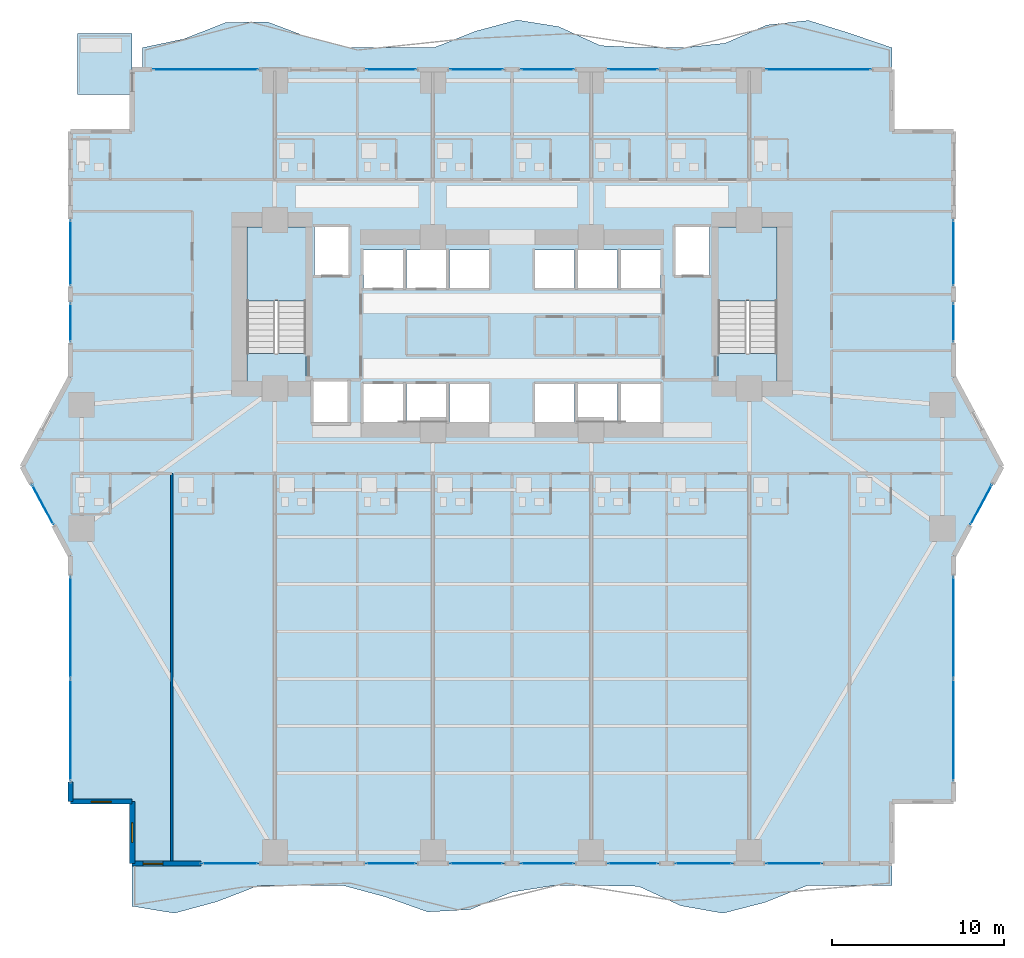
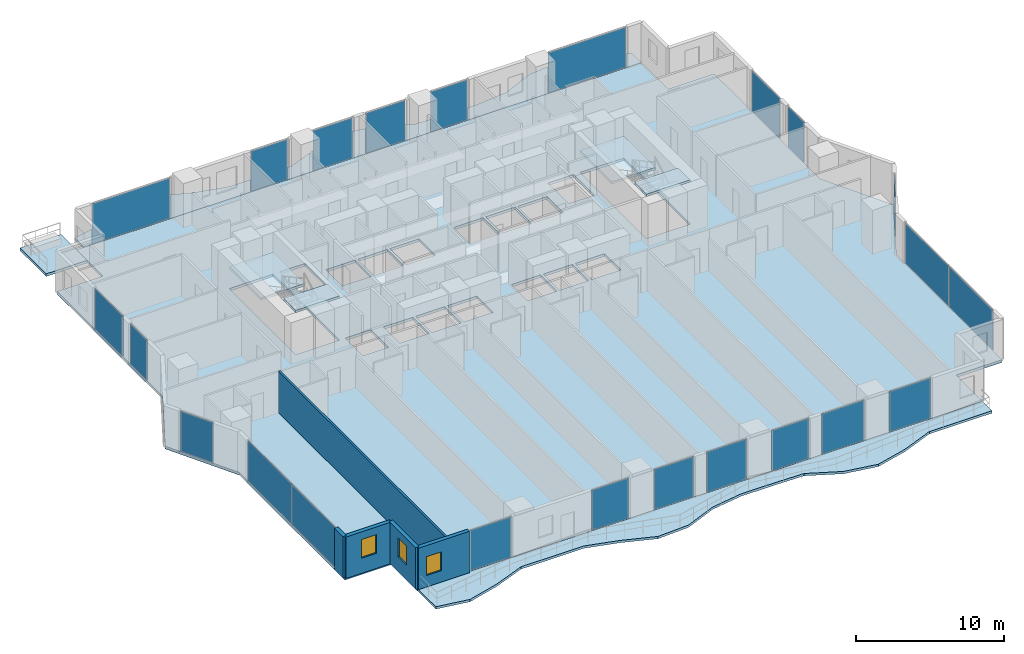
# One storey, part 18 of 29: 23 plates, 8 slabs, 5 walls, 3 windows, 3 openings, 23 elements without a shape of their own.
"""IFC4 building model written with IfcOpenShell, lengths in metres."""

from ifc_helpers import new_model, si_unit, direction, frame, frame_2d, origin, origin_2d, place, context, subcontext, project, spatial, polyline, rectangle, outline, extrude, material, layer, layer_set, type_object, element, fill, aggregate, save


model = new_model("IFC4")

# Units and contexts
model_context = context("Model", 3, precision=1e-05, world=origin(), true_north=direction((0.0, 1.0)))
body_context = subcontext(model_context, "Body", "Model", "MODEL_VIEW")
ifc_project = project(units=[si_unit("LENGTHUNIT", "METRE"), si_unit("AREAUNIT", "SQUARE_METRE"), si_unit("VOLUMEUNIT", "CUBIC_METRE"), si_unit("PLANEANGLEUNIT", "RADIAN"), si_unit("MASSUNIT", "GRAM", prefix="KILO")], contexts=[model_context])

# Site, building, storey
site_placement = place(None, origin())
site = spatial("IfcSite", under=ifc_project, at=site_placement, CompositionType="ELEMENT")
building_placement = place(site_placement, origin())
building = spatial("IfcBuilding", under=site, at=building_placement, Name="Zuhayl Quay Hotel", CompositionType="ELEMENT")
storey_placement = place(building_placement, frame((0.0, 0.0, 67.75)))
storey = spatial("IfcBuildingStorey", under=building, at=storey_placement, Name="L16", CompositionType="ELEMENT", Elevation=67.75)

# Curtain wall, plates
ifc_material_1 = material(Name="Anodised Aluminium 6063-T6", Category="aluminium")
ifc_layer_1 = layer(ifc_material_1, 0.18994140625, Name="Anodised Aluminium 6063-T6", Category="aluminium")
ifc_layer_set_1 = layer_set([ifc_layer_1], Name="Anodised Aluminium 6063-T6")
curtain_wall_type = type_object("IfcCurtainWallType", Name="CW_SYS_Z1", PredefinedType="USERDEFINED", material=ifc_layer_set_1)
curtain_wall_1_placement = place(storey_placement, origin())
curtain_wall_1 = element("IfcCurtainWall", 1, at=curtain_wall_1_placement, inside=storey, type_object=curtain_wall_type, Name="L16 Curtain Wall ENV_L16_E02_CW1", ObjectType="UNITISED CURTAIN WALL", PredefinedType="USERDEFINED")
ifc_material_2 = material(Name="Dark Ceramic-Fritted Solar Glass", Category="glass")
ifc_layer_2 = layer(ifc_material_2, 0.035888671875, Name="Dark Ceramic-Fritted Solar Glass", Category="glass")
ifc_layer_set_2 = layer_set([ifc_layer_2], Name="Dark Ceramic-Fritted Solar Glass")
plate_type = type_object("IfcPlateType", Name="PN_DARK_FRIT_Z1", PredefinedType="CURTAIN_PANEL", material=ifc_layer_set_2)
plate_1_placement = place(storey_placement, frame((-25.699951171875, -15.331298828125, 0.06005859375), z_axis=(0.0, 0.0, 1.0), x_axis=(0.0, 1.0, 0.0)))
plate_1 = element("IfcPlate", 2, at=plate_1_placement, type_object=plate_type, Name="CW-Z1 panel 1.1", PredefinedType="CURTAIN_PANEL", context=body_context, shape_type="SweptSolid", body=[
    extrude(rectangle(XDim=5.887451171875, YDim=0.035888671875, at=origin_2d()), origin(), (0.0, 0.0, 1.0), 3.31005859375),
])
plate_2_placement = place(storey_placement, frame((-25.699951171875, -9.36865234375, 0.06005859375), z_axis=(0.0, 0.0, 1.0), x_axis=(0.0, 1.0, 0.0)))
plate_2 = element("IfcPlate", 3, at=plate_2_placement, type_object=plate_type, Name="CW-Z1 panel 2.1", PredefinedType="CURTAIN_PANEL", context=body_context, shape_type="SweptSolid", body=[
    extrude(rectangle(XDim=5.887451171875, YDim=0.035888671875, at=origin_2d()), origin(), (0.0, 0.0, 1.0), 3.31005859375),
])
aggregate(curtain_wall_1, [plate_1, plate_2])

# Curtain wall, plate
curtain_wall_2_placement = place(storey_placement, origin())
curtain_wall_2 = element("IfcCurtainWall", 4, at=curtain_wall_2_placement, inside=storey, type_object=curtain_wall_type, Name="L16 Curtain Wall ENV_L16_E03_CW1", ObjectType="UNITISED CURTAIN WALL", PredefinedType="USERDEFINED")
plate_3_placement = place(storey_placement, frame((-27.306396484375, -2.216796875, 0.06005859375), z_axis=(0.0, 0.0, 1.0), x_axis=(-0.474091102632, 0.880475795468, 0.0)))
plate_3 = element("IfcPlate", 5, at=plate_3_placement, type_object=plate_type, Name="CW-Z1 panel 1.1", PredefinedType="CURTAIN_PANEL", context=body_context, shape_type="SweptSolid", body=[
    extrude(rectangle(XDim=2.58544921875, YDim=0.035888671875, at=origin_2d()), origin(), (0.0, 0.0, 1.0), 3.31005859375),
])
aggregate(curtain_wall_2, [plate_3])

curtain_wall_3_placement = place(storey_placement, origin())
curtain_wall_3 = element("IfcCurtainWall", 6, at=curtain_wall_3_placement, inside=storey, type_object=curtain_wall_type, Name="L16 Curtain Wall ENV_L16_E05_CW1", ObjectType="UNITISED CURTAIN WALL", PredefinedType="USERDEFINED")
plate_4_placement = place(storey_placement, frame((-25.699951171875, 8.385009765625, 0.06005859375), z_axis=(0.0, 0.0, 1.0), x_axis=(0.0, 1.0, 0.0)))
plate_4 = element("IfcPlate", 7, at=plate_4_placement, type_object=plate_type, Name="CW-Z1 panel 1.1", PredefinedType="CURTAIN_PANEL", context=body_context, shape_type="SweptSolid", body=[
    extrude(rectangle(XDim=2.219970703125, YDim=0.035888671875, at=origin_2d()), origin(), (0.0, 0.0, 1.0), 3.31005859375),
])
aggregate(curtain_wall_3, [plate_4])

curtain_wall_4_placement = place(storey_placement, origin())
curtain_wall_4 = element("IfcCurtainWall", 8, at=curtain_wall_4_placement, inside=storey, type_object=curtain_wall_type, Name="L16 Curtain Wall ENV_L16_E05_CW2", ObjectType="UNITISED CURTAIN WALL", PredefinedType="USERDEFINED")
plate_5_placement = place(storey_placement, frame((-25.699951171875, 12.43505859375, 0.06005859375), z_axis=(0.0, 0.0, 1.0), x_axis=(0.0, 1.0, 0.0)))
plate_5 = element("IfcPlate", 9, at=plate_5_placement, type_object=plate_type, Name="CW-Z1 panel 1.1", PredefinedType="CURTAIN_PANEL", context=body_context, shape_type="SweptSolid", body=[
    extrude(rectangle(XDim=3.780029296875, YDim=0.035888671875, at=origin_2d()), origin(), (0.0, 0.0, 1.0), 3.31005859375),
])
aggregate(curtain_wall_4, [plate_5])

curtain_wall_5_placement = place(storey_placement, origin())
curtain_wall_5 = element("IfcCurtainWall", 10, at=curtain_wall_5_placement, inside=storey, type_object=curtain_wall_type, Name="L16 Curtain Wall ENV_L16_N_CW1", ObjectType="UNITISED CURTAIN WALL", PredefinedType="USERDEFINED")
plate_6_placement = place(storey_placement, frame((-17.8349609375, 23.10009765625, 0.06005859375), z_axis=(0.0, 0.0, 1.0), x_axis=(1.0, 0.0, 0.0)))
plate_6 = element("IfcPlate", 11, at=plate_6_placement, type_object=plate_type, Name="CW-Z1 panel 1.1", PredefinedType="CURTAIN_PANEL", context=body_context, shape_type="SweptSolid", body=[
    extrude(rectangle(XDim=6.080078125, YDim=0.035888671875, at=origin_2d()), origin(), (0.0, 0.0, 1.0), 3.31005859375),
])
aggregate(curtain_wall_5, [plate_6])

curtain_wall_6_placement = place(storey_placement, origin())
curtain_wall_6 = element("IfcCurtainWall", 12, at=curtain_wall_6_placement, inside=storey, type_object=curtain_wall_type, Name="L16 Curtain Wall ENV_L16_N_CW2", ObjectType="UNITISED CURTAIN WALL", PredefinedType="USERDEFINED")
plate_7_placement = place(storey_placement, frame((-7.034912109375, 23.10009765625, 0.06005859375), z_axis=(0.0, 0.0, 1.0), x_axis=(1.0, 0.0, 0.0)))
plate_7 = element("IfcPlate", 13, at=plate_7_placement, type_object=plate_type, Name="CW-Z1 panel 1.1", PredefinedType="CURTAIN_PANEL", context=body_context, shape_type="SweptSolid", body=[
    extrude(rectangle(XDim=2.8798828125, YDim=0.035888671875, at=origin_2d()), origin(), (0.0, 0.0, 1.0), 3.31005859375),
])
aggregate(curtain_wall_6, [plate_7])

curtain_wall_7_placement = place(storey_placement, origin())
curtain_wall_7 = element("IfcCurtainWall", 14, at=curtain_wall_7_placement, inside=storey, type_object=curtain_wall_type, Name="L16 Curtain Wall ENV_L16_N_CW3", ObjectType="UNITISED CURTAIN WALL", PredefinedType="USERDEFINED")
plate_8_placement = place(storey_placement, frame((-2.06494140625, 23.10009765625, 0.06005859375), z_axis=(0.0, 0.0, 1.0), x_axis=(1.0, 0.0, 0.0)))
plate_8 = element("IfcPlate", 15, at=plate_8_placement, type_object=plate_type, Name="CW-Z1 panel 1.1", PredefinedType="CURTAIN_PANEL", context=body_context, shape_type="SweptSolid", body=[
    extrude(rectangle(XDim=3.080078125, YDim=0.035888671875, at=origin_2d()), origin(), (0.0, 0.0, 1.0), 3.31005859375),
])
aggregate(curtain_wall_7, [plate_8])

curtain_wall_8_placement = place(storey_placement, origin())
curtain_wall_8 = element("IfcCurtainWall", 16, at=curtain_wall_8_placement, inside=storey, type_object=curtain_wall_type, Name="L16 Curtain Wall ENV_L16_N_CW4", ObjectType="UNITISED CURTAIN WALL", PredefinedType="USERDEFINED")
plate_9_placement = place(storey_placement, frame((2.06494140625, 23.10009765625, 0.06005859375), z_axis=(0.0, 0.0, 1.0), x_axis=(1.0, 0.0, 0.0)))
plate_9 = element("IfcPlate", 17, at=plate_9_placement, type_object=plate_type, Name="CW-Z1 panel 1.1", PredefinedType="CURTAIN_PANEL", context=body_context, shape_type="SweptSolid", body=[
    extrude(rectangle(XDim=3.080078125, YDim=0.035888671875, at=origin_2d()), origin(), (0.0, 0.0, 1.0), 3.31005859375),
])
aggregate(curtain_wall_8, [plate_9])

curtain_wall_9_placement = place(storey_placement, origin())
curtain_wall_9 = element("IfcCurtainWall", 18, at=curtain_wall_9_placement, inside=storey, type_object=curtain_wall_type, Name="L16 Curtain Wall ENV_L16_N_CW5", ObjectType="UNITISED CURTAIN WALL", PredefinedType="USERDEFINED")
plate_10_placement = place(storey_placement, frame((7.034912109375, 23.10009765625, 0.06005859375), z_axis=(0.0, 0.0, 1.0), x_axis=(1.0, 0.0, 0.0)))
plate_10 = element("IfcPlate", 19, at=plate_10_placement, type_object=plate_type, Name="CW-Z1 panel 1.1", PredefinedType="CURTAIN_PANEL", context=body_context, shape_type="SweptSolid", body=[
    extrude(rectangle(XDim=2.8798828125, YDim=0.035888671875, at=origin_2d()), origin(), (0.0, 0.0, 1.0), 3.31005859375),
])
aggregate(curtain_wall_9, [plate_10])

curtain_wall_10_placement = place(storey_placement, origin())
curtain_wall_10 = element("IfcCurtainWall", 20, at=curtain_wall_10_placement, inside=storey, type_object=curtain_wall_type, Name="L16 Curtain Wall ENV_L16_N_CW6", ObjectType="UNITISED CURTAIN WALL", PredefinedType="USERDEFINED")
plate_11_placement = place(storey_placement, frame((17.8349609375, 23.10009765625, 0.06005859375), z_axis=(0.0, 0.0, 1.0), x_axis=(1.0, 0.0, 0.0)))
plate_11 = element("IfcPlate", 21, at=plate_11_placement, type_object=plate_type, Name="CW-Z1 panel 1.1", PredefinedType="CURTAIN_PANEL", context=body_context, shape_type="SweptSolid", body=[
    extrude(rectangle(XDim=6.080078125, YDim=0.035888671875, at=origin_2d()), origin(), (0.0, 0.0, 1.0), 3.31005859375),
])
aggregate(curtain_wall_10, [plate_11])

curtain_wall_11_placement = place(storey_placement, origin())
curtain_wall_11 = element("IfcCurtainWall", 22, at=curtain_wall_11_placement, inside=storey, type_object=curtain_wall_type, Name="L16 Curtain Wall ENV_L16_E11_CW1", ObjectType="UNITISED CURTAIN WALL", PredefinedType="USERDEFINED")
plate_12_placement = place(storey_placement, frame((25.699951171875, 12.43505859375, 0.06005859375), z_axis=(0.0, 0.0, 1.0), x_axis=(0.0, -1.0, 0.0)))
plate_12 = element("IfcPlate", 23, at=plate_12_placement, type_object=plate_type, Name="CW-Z1 panel 1.1", PredefinedType="CURTAIN_PANEL", context=body_context, shape_type="SweptSolid", body=[
    extrude(rectangle(XDim=3.780029296875, YDim=0.035888671875, at=origin_2d()), origin(), (0.0, 0.0, 1.0), 3.31005859375),
])
aggregate(curtain_wall_11, [plate_12])

curtain_wall_12_placement = place(storey_placement, origin())
curtain_wall_12 = element("IfcCurtainWall", 24, at=curtain_wall_12_placement, inside=storey, type_object=curtain_wall_type, Name="L16 Curtain Wall ENV_L16_E11_CW2", ObjectType="UNITISED CURTAIN WALL", PredefinedType="USERDEFINED")
plate_13_placement = place(storey_placement, frame((25.699951171875, 8.385009765625, 0.06005859375), z_axis=(0.0, 0.0, 1.0), x_axis=(0.0, -1.0, 0.0)))
plate_13 = element("IfcPlate", 25, at=plate_13_placement, type_object=plate_type, Name="CW-Z1 panel 1.1", PredefinedType="CURTAIN_PANEL", context=body_context, shape_type="SweptSolid", body=[
    extrude(rectangle(XDim=2.219970703125, YDim=0.035888671875, at=origin_2d()), origin(), (0.0, 0.0, 1.0), 3.31005859375),
])
aggregate(curtain_wall_12, [plate_13])

curtain_wall_13_placement = place(storey_placement, origin())
curtain_wall_13 = element("IfcCurtainWall", 26, at=curtain_wall_13_placement, inside=storey, type_object=curtain_wall_type, Name="L16 Curtain Wall ENV_L16_E13_CW1", ObjectType="UNITISED CURTAIN WALL", PredefinedType="USERDEFINED")
plate_14_placement = place(storey_placement, frame((27.306396484375, -2.216796875, 0.06005859375), z_axis=(0.0, 0.0, 1.0), x_axis=(-0.474091102632, -0.880475795468, 0.0)))
plate_14 = element("IfcPlate", 27, at=plate_14_placement, type_object=plate_type, Name="CW-Z1 panel 1.1", PredefinedType="CURTAIN_PANEL", context=body_context, shape_type="SweptSolid", body=[
    extrude(rectangle(XDim=2.58544921875, YDim=0.035888671875, at=origin_2d()), origin(), (0.0, 0.0, 1.0), 3.31005859375),
])
aggregate(curtain_wall_13, [plate_14])

# Curtain wall, plates
curtain_wall_14_placement = place(storey_placement, origin())
curtain_wall_14 = element("IfcCurtainWall", 28, at=curtain_wall_14_placement, inside=storey, type_object=curtain_wall_type, Name="L16 Curtain Wall ENV_L16_E14_CW1", ObjectType="UNITISED CURTAIN WALL", PredefinedType="USERDEFINED")
plate_15_placement = place(storey_placement, frame((25.699951171875, -9.36865234375, 0.06005859375), z_axis=(0.0, 0.0, 1.0), x_axis=(0.0, -1.0, 0.0)))
plate_15 = element("IfcPlate", 29, at=plate_15_placement, type_object=plate_type, Name="CW-Z1 panel 1.1", PredefinedType="CURTAIN_PANEL", context=body_context, shape_type="SweptSolid", body=[
    extrude(rectangle(XDim=5.887451171875, YDim=0.035888671875, at=origin_2d()), origin(), (0.0, 0.0, 1.0), 3.31005859375),
])
plate_16_placement = place(storey_placement, frame((25.699951171875, -15.331298828125, 0.06005859375), z_axis=(0.0, 0.0, 1.0), x_axis=(0.0, -1.0, 0.0)))
plate_16 = element("IfcPlate", 30, at=plate_16_placement, type_object=plate_type, Name="CW-Z1 panel 2.1", PredefinedType="CURTAIN_PANEL", context=body_context, shape_type="SweptSolid", body=[
    extrude(rectangle(XDim=5.887451171875, YDim=0.035888671875, at=origin_2d()), origin(), (0.0, 0.0, 1.0), 3.31005859375),
])
aggregate(curtain_wall_14, [plate_15, plate_16])

# Curtain wall, plate
curtain_wall_15_placement = place(storey_placement, origin())
curtain_wall_15 = element("IfcCurtainWall", 31, at=curtain_wall_15_placement, inside=storey, type_object=curtain_wall_type, Name="L16 Curtain Wall ENV_L16_S_CW1", ObjectType="UNITISED CURTAIN WALL", PredefinedType="USERDEFINED")
plate_17_placement = place(storey_placement, frame((16.409912109375, -23.10009765625, 0.06005859375), z_axis=(0.0, 0.0, 1.0), x_axis=(-1.0, 0.0, 0.0)))
plate_17 = element("IfcPlate", 32, at=plate_17_placement, type_object=plate_type, Name="CW-Z1 panel 1.1", PredefinedType="CURTAIN_PANEL", context=body_context, shape_type="SweptSolid", body=[
    extrude(rectangle(XDim=3.22998046875, YDim=0.035888671875, at=origin_2d()), origin(), (0.0, 0.0, 1.0), 3.31005859375),
])
aggregate(curtain_wall_15, [plate_17])

curtain_wall_16_placement = place(storey_placement, origin())
curtain_wall_16 = element("IfcCurtainWall", 33, at=curtain_wall_16_placement, inside=storey, type_object=curtain_wall_type, Name="L16 Curtain Wall ENV_L16_S_CW2", ObjectType="UNITISED CURTAIN WALL", PredefinedType="USERDEFINED")
plate_18_placement = place(storey_placement, frame((11.1650390625, -23.10009765625, 0.06005859375), z_axis=(0.0, 0.0, 1.0), x_axis=(-1.0, 0.0, 0.0)))
plate_18 = element("IfcPlate", 34, at=plate_18_placement, type_object=plate_type, Name="CW-Z1 panel 1.1", PredefinedType="CURTAIN_PANEL", context=body_context, shape_type="SweptSolid", body=[
    extrude(rectangle(XDim=3.280029296875, YDim=0.035888671875, at=origin_2d()), origin(), (0.0, 0.0, 1.0), 3.31005859375),
])
aggregate(curtain_wall_16, [plate_18])

curtain_wall_17_placement = place(storey_placement, origin())
curtain_wall_17 = element("IfcCurtainWall", 35, at=curtain_wall_17_placement, inside=storey, type_object=curtain_wall_type, Name="L16 Curtain Wall ENV_L16_S_CW3", ObjectType="UNITISED CURTAIN WALL", PredefinedType="USERDEFINED")
plate_19_placement = place(storey_placement, frame((7.034912109375, -23.10009765625, 0.06005859375), z_axis=(0.0, 0.0, 1.0), x_axis=(-1.0, 0.0, 0.0)))
plate_19 = element("IfcPlate", 36, at=plate_19_placement, type_object=plate_type, Name="CW-Z1 panel 1.1", PredefinedType="CURTAIN_PANEL", context=body_context, shape_type="SweptSolid", body=[
    extrude(rectangle(XDim=2.8798828125, YDim=0.035888671875, at=origin_2d()), origin(), (0.0, 0.0, 1.0), 3.31005859375),
])
aggregate(curtain_wall_17, [plate_19])

curtain_wall_18_placement = place(storey_placement, origin())
curtain_wall_18 = element("IfcCurtainWall", 37, at=curtain_wall_18_placement, inside=storey, type_object=curtain_wall_type, Name="L16 Curtain Wall ENV_L16_S_CW4", ObjectType="UNITISED CURTAIN WALL", PredefinedType="USERDEFINED")
plate_20_placement = place(storey_placement, frame((2.06494140625, -23.10009765625, 0.06005859375), z_axis=(0.0, 0.0, 1.0), x_axis=(-1.0, 0.0, 0.0)))
plate_20 = element("IfcPlate", 38, at=plate_20_placement, type_object=plate_type, Name="CW-Z1 panel 1.1", PredefinedType="CURTAIN_PANEL", context=body_context, shape_type="SweptSolid", body=[
    extrude(rectangle(XDim=3.080078125, YDim=0.035888671875, at=origin_2d()), origin(), (0.0, 0.0, 1.0), 3.31005859375),
])
aggregate(curtain_wall_18, [plate_20])

curtain_wall_19_placement = place(storey_placement, origin())
curtain_wall_19 = element("IfcCurtainWall", 39, at=curtain_wall_19_placement, inside=storey, type_object=curtain_wall_type, Name="L16 Curtain Wall ENV_L16_S_CW5", ObjectType="UNITISED CURTAIN WALL", PredefinedType="USERDEFINED")
plate_21_placement = place(storey_placement, frame((-2.06494140625, -23.10009765625, 0.06005859375), z_axis=(0.0, 0.0, 1.0), x_axis=(-1.0, 0.0, 0.0)))
plate_21 = element("IfcPlate", 40, at=plate_21_placement, type_object=plate_type, Name="CW-Z1 panel 1.1", PredefinedType="CURTAIN_PANEL", context=body_context, shape_type="SweptSolid", body=[
    extrude(rectangle(XDim=3.080078125, YDim=0.035888671875, at=origin_2d()), origin(), (0.0, 0.0, 1.0), 3.31005859375),
])
aggregate(curtain_wall_19, [plate_21])

curtain_wall_20_placement = place(storey_placement, origin())
curtain_wall_20 = element("IfcCurtainWall", 41, at=curtain_wall_20_placement, inside=storey, type_object=curtain_wall_type, Name="L16 Curtain Wall ENV_L16_S_CW6", ObjectType="UNITISED CURTAIN WALL", PredefinedType="USERDEFINED")
plate_22_placement = place(storey_placement, frame((-7.034912109375, -23.10009765625, 0.06005859375), z_axis=(0.0, 0.0, 1.0), x_axis=(-1.0, 0.0, 0.0)))
plate_22 = element("IfcPlate", 42, at=plate_22_placement, type_object=plate_type, Name="CW-Z1 panel 1.1", PredefinedType="CURTAIN_PANEL", context=body_context, shape_type="SweptSolid", body=[
    extrude(rectangle(XDim=2.8798828125, YDim=0.035888671875, at=origin_2d()), origin(), (0.0, 0.0, 1.0), 3.31005859375),
])
aggregate(curtain_wall_20, [plate_22])

curtain_wall_21_placement = place(storey_placement, origin())
curtain_wall_21 = element("IfcCurtainWall", 43, at=curtain_wall_21_placement, inside=storey, type_object=curtain_wall_type, Name="L16 Curtain Wall ENV_L16_S_CW7", ObjectType="UNITISED CURTAIN WALL", PredefinedType="USERDEFINED")
plate_23_placement = place(storey_placement, frame((-16.409912109375, -23.10009765625, 0.06005859375), z_axis=(0.0, 0.0, 1.0), x_axis=(-1.0, 0.0, 0.0)))
plate_23 = element("IfcPlate", 44, at=plate_23_placement, type_object=plate_type, Name="CW-Z1 panel 1.1", PredefinedType="CURTAIN_PANEL", context=body_context, shape_type="SweptSolid", body=[
    extrude(rectangle(XDim=3.22998046875, YDim=0.035888671875, at=origin_2d()), origin(), (0.0, 0.0, 1.0), 3.31005859375),
])
aggregate(curtain_wall_21, [plate_23])

# Slabs
ifc_material_3 = material(Name="Concrete C45/55", Category="concrete")
ifc_layer_3 = layer(ifc_material_3, 0.195068359375, Name="Concrete C45/55", Category="concrete")
ifc_layer_set_3 = layer_set([ifc_layer_3], Name="Concrete C45/55")
slab_type_1 = type_object("IfcSlabType", Name="SL_BALCONY_195", PredefinedType="FLOOR", material=ifc_layer_set_3)
slab_1_placement = place(storey_placement, frame((0.0, 0.0, -0.195068359375)))
element("IfcSlab", 45, at=slab_1_placement, inside=storey, type_object=slab_type_1, Name="L16 Exterior Rippling Balcony Slab North", PredefinedType="FLOOR", context=body_context, shape_type="SweptSolid", body=[
    extrude(outline(polyline([(-21.5, 23.10009765625), (22.10009765625, 23.10009765625), (22.10009765625, 24.3798828125), (19.677734375, 25.2080078125), (17.255615234375, 25.962890625), (14.833251953125, 25.700439453125), (12.4111328125, 24.64111328125), (9.989013671875, 24.3798828125), (7.566650390625, 24.3798828125), (5.144287109375, 24.500732421875), (2.72216796875, 25.6025390625), (0.300048828125, 25.9892578125), (-2.122314453125, 25.3369140625), (-4.54443359375, 24.3798828125), (-6.966796875, 24.3798828125), (-9.388916015625, 24.3798828125), (-11.81103515625, 24.967041015625), (-14.2333984375, 25.878173828125), (-16.655517578125, 25.84326171875), (-19.077880859375, 24.8916015625), (-21.5, 24.3798828125), (-21.5, 23.10009765625)])), origin(), (0.0, 0.0, 1.0), 0.195068359375),
])
slab_2_placement = place(storey_placement, frame((0.0, 0.0, -0.195068359375)))
element("IfcSlab", 46, at=slab_2_placement, inside=storey, type_object=slab_type_1, Name="L16 Exterior Rippling Balcony Slab South", PredefinedType="FLOOR", context=body_context, shape_type="SweptSolid", body=[
    extrude(outline(polyline([(-22.10009765625, -25.58642578125), (-19.644287109375, -25.989990234375), (-17.18896484375, -25.3271484375), (-14.7333984375, -24.3798828125), (-12.27783203125, -24.3798828125), (-9.822265625, -24.3798828125), (-7.36669921875, -25.041748046875), (-4.9111328125, -25.9150390625), (-2.45556640625, -25.786376953125), (0.0, -24.766357421875), (2.45556640625, -24.3798828125), (4.9111328125, -24.3798828125), (7.36669921875, -24.426513671875), (9.822265625, -25.5576171875), (12.27783203125, -25.994140625), (14.7333984375, -25.36083984375), (17.18896484375, -24.3798828125), (19.644287109375, -24.3798828125), (22.10009765625, -24.3798828125), (22.10009765625, -23.10009765625), (-22.10009765625, -23.10009765625), (-22.10009765625, -25.58642578125)])), origin(), (0.0, 0.0, 1.0), 0.195068359375),
])
ifc_layer_4 = layer(ifc_material_3, 0.219970703125, Name="Concrete C45/55", Category="concrete")
ifc_layer_set_4 = layer_set([ifc_layer_4], Name="Concrete C45/55")
slab_type_2 = type_object("IfcSlabType", Name="SL_FLOOR_220", PredefinedType="FLOOR", material=ifc_layer_set_4)
slab_3_placement = place(storey_placement, frame((0.0, 0.0, -0.219970703125)))
element("IfcSlab", 47, at=slab_3_placement, inside=storey, type_object=slab_type_2, Name="L16 Structural Floor Slab", PredefinedType="FLOOR", context=body_context, shape_type="SweptSolid", body=[
    extrude(outline(polyline([(-22.10009765625, -23.10009765625), (22.10009765625, -23.10009765625), (22.10009765625, -19.5), (25.699951171875, -19.5), (25.699951171875, -5.199951171875), (28.5, 0.0), (25.699951171875, 5.199951171875), (25.699951171875, 19.5), (22.10009765625, 19.5), (22.10009765625, 23.10009765625), (-22.10009765625, 23.10009765625), (-22.10009765625, 19.5), (-25.699951171875, 19.5), (-25.699951171875, 5.199951171875), (-28.5, 0.0), (-25.699951171875, -5.199951171875), (-25.699951171875, -19.5), (-22.10009765625, -19.5), (-22.10009765625, -23.10009765625)]), holes=[polyline([(-12.0, 4.949951171875), (-12.0, 13.949951171875), (-15.429931640625, 13.949951171875), (-15.429931640625, 4.949951171875), (-12.0, 4.949951171875)]), polyline([(15.429931640625, 4.949951171875), (15.429931640625, 13.949951171875), (12.0, 13.949951171875), (12.0, 4.949951171875), (15.429931640625, 4.949951171875)]), polyline([(-11.5, 11.14990234375), (-9.5, 11.14990234375), (-9.5, 13.949951171875), (-11.5, 13.949951171875), (-11.5, 11.14990234375)]), polyline([(9.5, 11.14990234375), (11.5, 11.14990234375), (11.5, 13.949951171875), (9.5, 13.949951171875), (9.5, 11.14990234375)]), polyline([(-8.64990234375, 2.60009765625), (-6.35009765625, 2.60009765625), (-6.35009765625, 4.800048828125), (-8.64990234375, 4.800048828125), (-8.64990234375, 2.60009765625)]), polyline([(-6.14990234375, 2.60009765625), (-3.85009765625, 2.60009765625), (-3.85009765625, 4.800048828125), (-6.14990234375, 4.800048828125), (-6.14990234375, 2.60009765625)]), polyline([(-8.64990234375, 10.39990234375), (-6.35009765625, 10.39990234375), (-6.35009765625, 12.60009765625), (-8.64990234375, 12.60009765625), (-8.64990234375, 10.39990234375)]), polyline([(-6.14990234375, 10.39990234375), (-3.85009765625, 10.39990234375), (-3.85009765625, 12.60009765625), (-6.14990234375, 12.60009765625), (-6.14990234375, 10.39990234375)]), polyline([(-3.64990234375, 2.60009765625), (-1.35009765625, 2.60009765625), (-1.35009765625, 4.800048828125), (-3.64990234375, 4.800048828125), (-3.64990234375, 2.60009765625)]), polyline([(1.35009765625, 2.60009765625), (3.64990234375, 2.60009765625), (3.64990234375, 4.800048828125), (1.35009765625, 4.800048828125), (1.35009765625, 2.60009765625)]), polyline([(-3.64990234375, 10.39990234375), (-1.35009765625, 10.39990234375), (-1.35009765625, 12.60009765625), (-3.64990234375, 12.60009765625), (-3.64990234375, 10.39990234375)]), polyline([(1.35009765625, 10.39990234375), (3.64990234375, 10.39990234375), (3.64990234375, 12.60009765625), (1.35009765625, 12.60009765625), (1.35009765625, 10.39990234375)]), polyline([(3.85009765625, 2.60009765625), (6.14990234375, 2.60009765625), (6.14990234375, 4.800048828125), (3.85009765625, 4.800048828125), (3.85009765625, 2.60009765625)]), polyline([(6.35009765625, 2.60009765625), (8.64990234375, 2.60009765625), (8.64990234375, 4.800048828125), (6.35009765625, 4.800048828125), (6.35009765625, 2.60009765625)]), polyline([(3.85009765625, 10.39990234375), (6.14990234375, 10.39990234375), (6.14990234375, 12.60009765625), (3.85009765625, 12.60009765625), (3.85009765625, 10.39990234375)]), polyline([(6.35009765625, 10.39990234375), (8.64990234375, 10.39990234375), (8.64990234375, 12.60009765625), (6.35009765625, 12.60009765625), (6.35009765625, 10.39990234375)]), polyline([(-11.550048828125, 2.550048828125), (-9.550048828125, 2.550048828125), (-9.550048828125, 4.949951171875), (-11.550048828125, 4.949951171875), (-11.550048828125, 2.550048828125)])]), origin(), (0.0, 0.0, 1.0), 0.219970703125),
])

# Stair, slabs
stair_type = type_object("IfcStairType", Name="ST_DOGLEG_TOWER", PredefinedType="HALF_TURN_STAIR", material=ifc_material_3)
stair_1_placement = place(storey_placement, origin())
stair_1 = element("IfcStair", 48, at=stair_1_placement, inside=storey, type_object=stair_type, Name="L16 Smokeproof Exit Stair ST1", PredefinedType="HALF_TURN_STAIR")
ifc_layer_5 = layer(ifc_material_3, 0.199951171875, Name="Concrete C45/55", Category="concrete")
ifc_layer_set_5 = layer_set([ifc_layer_5], Name="Concrete C45/55")
slab_type_3 = type_object("IfcSlabType", Name="SL_STAIR_LANDING_200", PredefinedType="LANDING", material=ifc_layer_set_5)
slab_4_placement = place(storey_placement, frame((0.0, 0.0, 1.625)))
slab_4 = element("IfcSlab", 49, at=slab_4_placement, type_object=slab_type_3, Name="ST1 landing 1", PredefinedType="LANDING", context=body_context, shape_type="SweptSolid", body=[
    extrude(outline(polyline([(-12.0, 9.64990234375), (-12.0, 13.949951171875), (-15.429931640625, 13.949951171875), (-15.429931640625, 9.64990234375), (-12.0, 9.64990234375)])), origin(), (0.0, 0.0, 1.0), 0.199951171875),
])
slab_5_placement = place(storey_placement, frame((0.0, 0.0, 3.449951171875)))
slab_5 = element("IfcSlab", 50, at=slab_5_placement, type_object=slab_type_3, Name="ST1 landing 2", PredefinedType="LANDING", context=body_context, shape_type="SweptSolid", body=[
    extrude(outline(polyline([(-12.0, 4.949951171875), (-12.0, 6.590087890625), (-15.429931640625, 6.590087890625), (-15.429931640625, 4.949951171875), (-12.0, 4.949951171875)])), origin(), (0.0, 0.0, 1.0), 0.199951171875),
])
aggregate(stair_1, [slab_4, slab_5])

stair_2_placement = place(storey_placement, origin())
stair_2 = element("IfcStair", 51, at=stair_2_placement, inside=storey, type_object=stair_type, Name="L16 Smokeproof Exit Stair ST2", PredefinedType="HALF_TURN_STAIR")
slab_6_placement = place(storey_placement, frame((0.0, 0.0, 1.625)))
slab_6 = element("IfcSlab", 52, at=slab_6_placement, type_object=slab_type_3, Name="ST2 landing 1", PredefinedType="LANDING", context=body_context, shape_type="SweptSolid", body=[
    extrude(outline(polyline([(15.429931640625, 9.64990234375), (15.429931640625, 13.949951171875), (12.0, 13.949951171875), (12.0, 9.64990234375), (15.429931640625, 9.64990234375)])), origin(), (0.0, 0.0, 1.0), 0.199951171875),
])
slab_7_placement = place(storey_placement, frame((0.0, 0.0, 3.449951171875)))
slab_7 = element("IfcSlab", 53, at=slab_7_placement, type_object=slab_type_3, Name="ST2 landing 2", PredefinedType="LANDING", context=body_context, shape_type="SweptSolid", body=[
    extrude(outline(polyline([(15.429931640625, 4.949951171875), (15.429931640625, 6.590087890625), (12.0, 6.590087890625), (12.0, 4.949951171875), (15.429931640625, 4.949951171875)])), origin(), (0.0, 0.0, 1.0), 0.199951171875),
])
aggregate(stair_2, [slab_6, slab_7])

# Slab
ifc_layer_6 = layer(ifc_material_3, 0.219970703125, Name="Concrete C45/55", Category="concrete")
ifc_layer_set_6 = layer_set([ifc_layer_6], Name="Concrete C45/55")
slab_type_4 = type_object("IfcSlabType", Name="SL_TERRACE_235", PredefinedType="FLOOR", material=ifc_layer_set_6)
slab_8_placement = place(storey_placement, frame((0.0, 0.0, -0.219970703125)))
element("IfcSlab", 54, at=slab_8_placement, inside=storey, type_object=slab_type_4, Name="L16 Exterior Sky-Terrace Slab L16_SPIRAL_NW", PredefinedType="FLOOR", context=body_context, shape_type="SweptSolid", body=[
    extrude(outline(polyline([(-25.300048828125, 21.64990234375), (-22.10009765625, 21.64990234375), (-22.10009765625, 25.199951171875), (-25.300048828125, 25.199951171875), (-25.300048828125, 21.64990234375)])), origin(), (0.0, 0.0, 1.0), 0.219970703125),
])

# Wall, opening, window
ifc_material_4 = material(Name="Precast concrete C45/55", Category="concrete")
ifc_layer_7 = layer(ifc_material_4, 0.300048828125, Name="Precast concrete C45/55", Category="concrete")
ifc_layer_set_7 = layer_set([ifc_layer_7], Name="Precast concrete C45/55")
wall_type_1 = type_object("IfcWallType", Name="WL_EXT_300", PredefinedType="STANDARD", material=ifc_layer_set_7)
wall_1_placement = place(storey_placement, frame((-22.10009765625, -19.5, 0.0), z_axis=(0.0, 0.0, 1.0), x_axis=(-1.0, 0.0, 0.0)))
wall_1 = element("IfcWall", 55, at=wall_1_placement, inside=storey, type_object=wall_type_1, Name="L16 Exterior Precast Wall ENV_L16_EW01", PredefinedType="STANDARD", context=body_context, shape_type="SweptSolid", body=[
    extrude(rectangle(XDim=3.599853515625, YDim=0.300048828125, at=frame_2d((1.7998046875, 0.0))), origin(), (0.0, 0.0, 1.0), 3.429931640625),
])
opening_1_placement = place(wall_1_placement, frame((1.22509765625, 0.0, 1.25)))
opening_1 = element("IfcOpeningElement", 56, at=opening_1_placement, cuts=wall_1, Name="Opening W01N", PredefinedType="OPENING", context=body_context, shape_type="SweptSolid", body=[
    extrude(rectangle(XDim=1.14990234375, YDim=1.550048828125, at=frame_2d((0.574951171875, 0.77490234375))), frame((0.0, 0.159912109375, 0.0), z_axis=(0.0, -1.0, 0.0), x_axis=(1.0, 0.0, 0.0)), (0.0, 0.0, 1.0), 0.320068359375),
])
window_type = type_object("IfcWindowType", Name="WN_NOTCH_1350", PartitioningType="SINGLE_PANEL", PredefinedType="WINDOW", material=ifc_material_2)
window_1_placement = place(opening_1_placement, origin())
window_1 = element("IfcWindow", 57, at=window_1_placement, inside=storey, type_object=window_type, Name="L16 Corner Notch Window 1", OverallHeight=1.550048828125, OverallWidth=1.14990234375, PartitioningType="SINGLE_PANEL", PredefinedType="WINDOW", context=body_context, shape_type="SweptSolid", body=[
    extrude(rectangle(XDim=1.14990234375, YDim=1.550048828125, at=frame_2d((0.574951171875, 0.77490234375))), frame((0.0, 0.030029296875, 0.0), z_axis=(0.0, -1.0, 0.0), x_axis=(1.0, 0.0, 0.0)), (0.0, 0.0, 1.0), 0.06005859375),
])
fill(opening_1, window_1)

# Wall
wall_2_placement = place(storey_placement, frame((-25.699951171875, -19.5, 0.0), z_axis=(0.0, 0.0, 1.0), x_axis=(0.0, 1.0, 0.0)))
element("IfcWall", 58, at=wall_2_placement, inside=storey, type_object=wall_type_1, Name="L16 Exterior Precast Wall ENV_L16_E02_EW1", PredefinedType="STANDARD", context=body_context, shape_type="SweptSolid", body=[
    extrude(rectangle(XDim=1.14990234375, YDim=0.300048828125, at=frame_2d((0.574951171875, 0.0))), origin(), (0.0, 0.0, 1.0), 3.429931640625),
])

# Wall, opening, window
wall_3_placement = place(storey_placement, frame((-18.10009765625, -23.10009765625, 0.0), z_axis=(0.0, 0.0, 1.0), x_axis=(-1.0, 0.0, 0.0)))
wall_3 = element("IfcWall", 59, at=wall_3_placement, inside=storey, type_object=wall_type_1, Name="L16 Exterior Precast Wall ENV_L16_S_EW8", PredefinedType="STANDARD", context=body_context, shape_type="SweptSolid", body=[
    extrude(rectangle(XDim=4.0, YDim=0.300048828125, at=frame_2d((2.0, 0.0))), origin(), (0.0, 0.0, 1.0), 3.429931640625),
])
opening_2_placement = place(wall_3_placement, frame((2.215087890625, 0.0, 0.949951171875)))
opening_2 = element("IfcOpeningElement", 60, at=opening_2_placement, cuts=wall_3, Name="Opening W01N", PredefinedType="OPENING", context=body_context, shape_type="SweptSolid", body=[
    extrude(rectangle(XDim=1.14990234375, YDim=1.550048828125, at=frame_2d((0.574951171875, 0.77490234375))), frame((0.0, 0.159912109375, 0.0), z_axis=(0.0, -1.0, 0.0), x_axis=(1.0, 0.0, 0.0)), (0.0, 0.0, 1.0), 0.320068359375),
])
window_2_placement = place(opening_2_placement, origin())
window_2 = element("IfcWindow", 61, at=window_2_placement, inside=storey, type_object=window_type, Name="L16 Operable Facade Window 8-1", OverallHeight=1.550048828125, OverallWidth=1.14990234375, PartitioningType="SINGLE_PANEL", PredefinedType="WINDOW", context=body_context, shape_type="SweptSolid", body=[
    extrude(rectangle(XDim=1.14990234375, YDim=1.550048828125, at=frame_2d((0.574951171875, 0.77490234375))), frame((0.0, 0.030029296875, 0.0), z_axis=(0.0, -1.0, 0.0), x_axis=(1.0, 0.0, 0.0)), (0.0, 0.0, 1.0), 0.06005859375),
])
fill(opening_2, window_2)

wall_4_placement = place(storey_placement, frame((-22.10009765625, -23.10009765625, 0.0), z_axis=(0.0, 0.0, 1.0), x_axis=(0.0, 1.0, 0.0)))
wall_4 = element("IfcWall", 62, at=wall_4_placement, inside=storey, type_object=wall_type_1, Name="L16 Exterior Precast Wall ENV_L16_EW18", PredefinedType="STANDARD", context=body_context, shape_type="SweptSolid", body=[
    extrude(rectangle(XDim=3.60009765625, YDim=0.300048828125, at=frame_2d((1.800048828125, 0.0))), origin(), (0.0, 0.0, 1.0), 3.429931640625),
])
opening_3_placement = place(wall_4_placement, frame((1.22509765625, 0.0, 1.25)))
opening_3 = element("IfcOpeningElement", 63, at=opening_3_placement, cuts=wall_4, Name="Opening W01N", PredefinedType="OPENING", context=body_context, shape_type="SweptSolid", body=[
    extrude(rectangle(XDim=1.14990234375, YDim=1.550048828125, at=frame_2d((0.574951171875, 0.77490234375))), frame((0.0, 0.159912109375, 0.0), z_axis=(0.0, -1.0, 0.0), x_axis=(1.0, 0.0, 0.0)), (0.0, 0.0, 1.0), 0.320068359375),
])
window_3_placement = place(opening_3_placement, origin())
window_3 = element("IfcWindow", 64, at=window_3_placement, inside=storey, type_object=window_type, Name="L16 Corner Notch Window 18", OverallHeight=1.550048828125, OverallWidth=1.14990234375, PartitioningType="SINGLE_PANEL", PredefinedType="WINDOW", context=body_context, shape_type="SweptSolid", body=[
    extrude(rectangle(XDim=1.14990234375, YDim=1.550048828125, at=frame_2d((0.574951171875, 0.77490234375))), frame((0.0, 0.030029296875, 0.0), z_axis=(0.0, -1.0, 0.0), x_axis=(1.0, 0.0, 0.0)), (0.0, 0.0, 1.0), 0.06005859375),
])
fill(opening_3, window_3)

# Wall
ifc_material_5 = material(Name="Acoustic Gypsum Partition STC-58")
ifc_layer_8 = layer(ifc_material_5, 0.14990234375, Name="Acoustic Gypsum Partition STC-58")
ifc_layer_set_8 = layer_set([ifc_layer_8], Name="Acoustic Gypsum Partition STC-58")
wall_type_2 = type_object("IfcWallType", Name="WL_PART_150", PredefinedType="PARTITIONING", material=ifc_layer_set_8)
wall_5_placement = place(storey_placement, frame((-19.800048828125, -23.02001953125, 0.0), z_axis=(0.0, 0.0, 1.0), x_axis=(0.0, 1.0, 0.0)))
element("IfcWall", 65, at=wall_5_placement, inside=storey, type_object=wall_type_2, Name="L16 Partition IW_L16_SU01A_E", PredefinedType="PARTITIONING", context=body_context, shape_type="SweptSolid", body=[
    extrude(rectangle(XDim=22.6201171875, YDim=0.14990234375, at=frame_2d((11.31005859375, 0.0))), origin(), (0.0, 0.0, 1.0), 3.429931640625),
])

save(model, "model.ifc")
